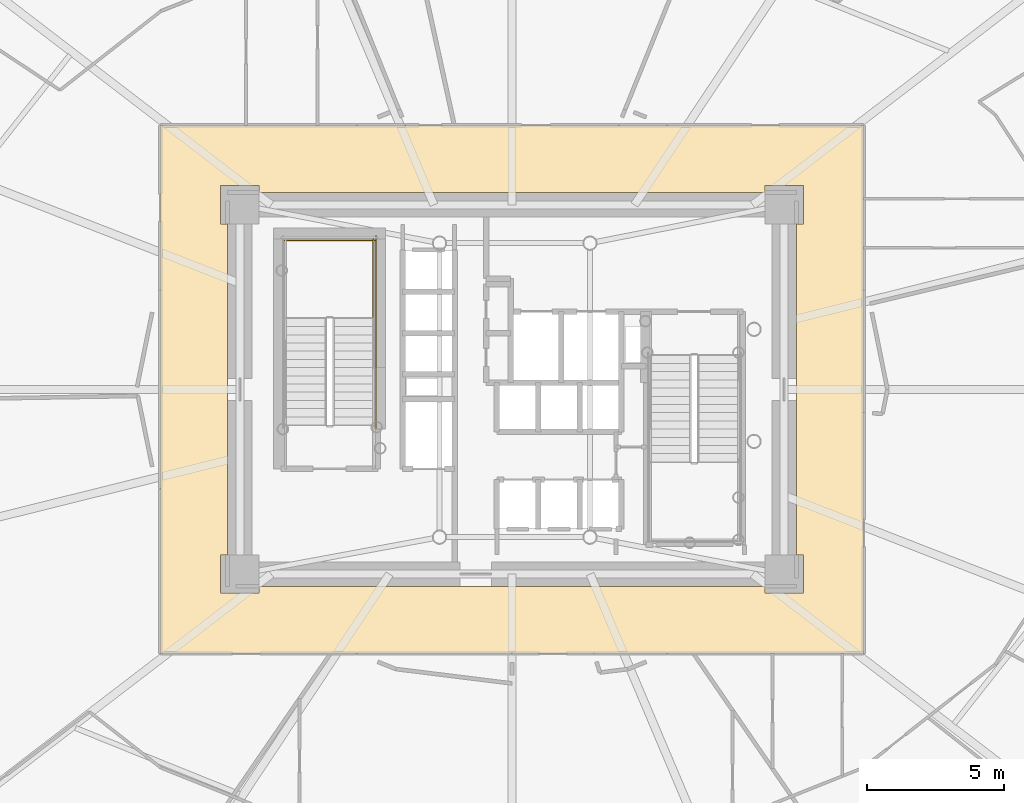
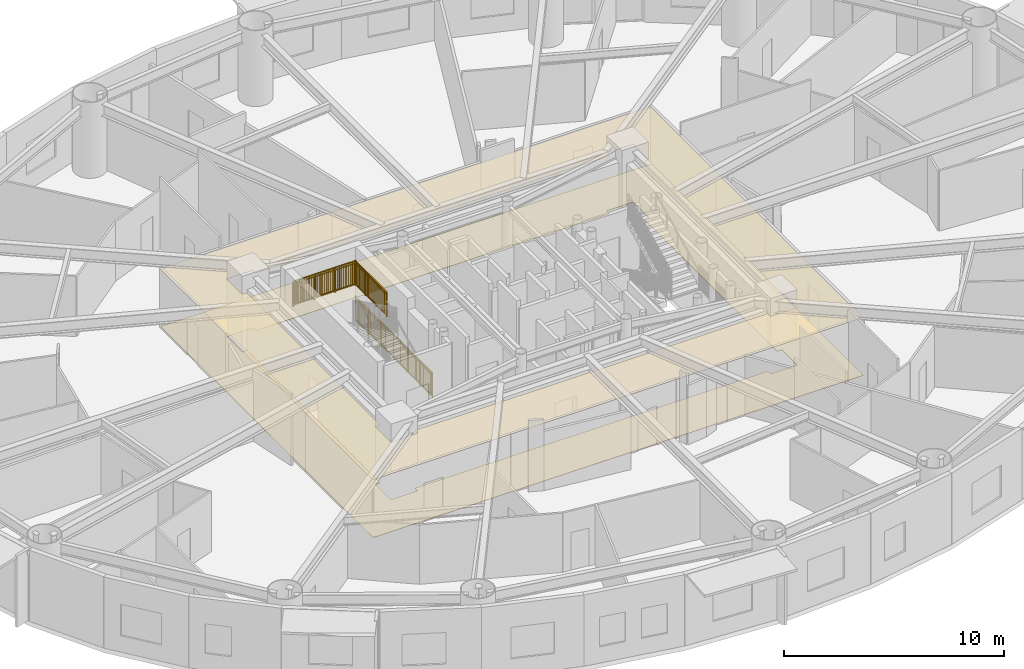
# One storey, part 17 of 21: 3 railings, 2 coverings.
"""IFC4 building model written with IfcOpenShell, lengths in metres."""

from ifc_helpers import new_model, si_unit, direction, frame, origin, origin_2d, place, context, subcontext, project, spatial, polyline, rectangle, outline, extrude, source, transform, mapped, material, layer, layer_set, type_object, element, save


model = new_model("IFC4")

# Units and contexts
model_context = context("Model", 3, precision=1e-05, world=origin(), true_north=direction((0.0, 1.0)))
body_context = subcontext(model_context, "Body", "Model", "MODEL_VIEW")
ifc_project = project(units=[si_unit("LENGTHUNIT", "METRE"), si_unit("AREAUNIT", "SQUARE_METRE"), si_unit("VOLUMEUNIT", "CUBIC_METRE"), si_unit("PLANEANGLEUNIT", "RADIAN"), si_unit("MASSUNIT", "GRAM", prefix="KILO")], contexts=[model_context])

# Site, building, storey
site_placement = place(None, origin())
site = spatial("IfcSite", under=ifc_project, at=site_placement, CompositionType="ELEMENT")
building_placement = place(site_placement, origin())
building = spatial("IfcBuilding", under=site, at=building_placement, Name="Linh Dai School and Residence Tower", CompositionType="ELEMENT")
storey_placement = place(building_placement, frame((0.0, 0.0, 78.60009765625)))
storey = spatial("IfcBuildingStorey", under=building, at=storey_placement, Name="L18", CompositionType="ELEMENT", Elevation=78.60009765625)

# Coverings
ifc_material_1 = material(Name="Mineral Fibre Acoustic Suspended Ceiling", Category="masonry")
ifc_layer_1 = layer(ifc_material_1, 0.02001953125)
ifc_layer_set_1 = layer_set([ifc_layer_1], Name="Mineral Fibre Acoustic Suspended Ceiling")
covering_type_1 = type_object("IfcCoveringType", Name="COV-CEIL-AC-20", PredefinedType="CEILING", material=ifc_layer_set_1)
covering_1_placement = place(storey_placement, frame((0.0, 0.0, 3.199951171875)))
element("IfcCovering", 1, at=covering_1_placement, inside=storey, type_object=covering_type_1, Name="L18 Residential Floor Corridor Suspended Ceiling", PredefinedType="CEILING", context=body_context, shape_type="SweptSolid", body=[
    extrude(outline(polyline([(48.85009765625, 36.64990234375), (48.85009765625, 17.35009765625), (23.14990234375, 17.35009765625), (23.14990234375, 36.64990234375), (48.85009765625, 36.64990234375)]), holes=[polyline([(26.75, 34.199951171875), (26.75, 34.449951171875), (25.35009765625, 34.449951171875), (25.35009765625, 33.050048828125), (25.60009765625, 33.050048828125), (25.60009765625, 20.949951171875), (25.35009765625, 20.949951171875), (25.35009765625, 19.550048828125), (26.75, 19.550048828125), (26.75, 19.800048828125), (45.25, 19.800048828125), (45.25, 19.550048828125), (46.64990234375, 19.550048828125), (46.64990234375, 20.949951171875), (46.39990234375, 20.949951171875), (46.39990234375, 33.050048828125), (46.64990234375, 33.050048828125), (46.64990234375, 34.449951171875), (45.25, 34.449951171875), (45.25, 34.199951171875), (26.75, 34.199951171875)])]), origin(), (0.0, 0.0, 1.0), 0.02001953125),
])
ifc_material_2 = material(Name="Polished Terrazzo Floor Finish", Category="masonry")
ifc_layer_2 = layer(ifc_material_2, 0.02490234375)
ifc_layer_set_2 = layer_set([ifc_layer_2], Name="Polished Terrazzo Floor Finish")
covering_type_2 = type_object("IfcCoveringType", Name="COV-FLR-TRZ-25", PredefinedType="FLOORING", material=ifc_layer_set_2)
covering_2_placement = place(storey_placement, origin())
element("IfcCovering", 2, at=covering_2_placement, inside=storey, type_object=covering_type_2, Name="L18 Residential Floor Corridor Floor Finish", PredefinedType="FLOORING", context=body_context, shape_type="SweptSolid", body=[
    extrude(outline(polyline([(48.85009765625, 36.64990234375), (48.85009765625, 17.35009765625), (23.14990234375, 17.35009765625), (23.14990234375, 36.64990234375), (48.85009765625, 36.64990234375)]), holes=[polyline([(26.75, 34.199951171875), (26.75, 34.449951171875), (25.35009765625, 34.449951171875), (25.35009765625, 33.050048828125), (25.60009765625, 33.050048828125), (25.60009765625, 20.949951171875), (25.35009765625, 20.949951171875), (25.35009765625, 19.550048828125), (26.75, 19.550048828125), (26.75, 19.800048828125), (45.25, 19.800048828125), (45.25, 19.550048828125), (46.64990234375, 19.550048828125), (46.64990234375, 20.949951171875), (46.39990234375, 20.949951171875), (46.39990234375, 33.050048828125), (46.64990234375, 33.050048828125), (46.64990234375, 34.449951171875), (45.25, 34.449951171875), (45.25, 34.199951171875), (26.75, 34.199951171875)])]), origin(), (0.0, 0.0, 1.0), 0.02001953125),
])

# Railings
ifc_material_3 = material(Name="Structural Steel S355JR", Category="steel")
railing_type = type_object("IfcRailingType", Name="RL-ST-GUARD-1400", PredefinedType="GUARDRAIL", material=ifc_material_3)
shared_shape_1 = source(origin(), body_context, "Body", "SweptSolid", [
    extrude(rectangle(XDim=0.048095703125, YDim=0.048095703125, at=origin_2d()), frame((0.0, 0.0, 1.3759765625), z_axis=(-1.0, 0.0, 0.0), x_axis=(0.0, -1.0, 0.0)), (0.0, 0.0, 1.0), 3.300048828125),
    extrude(rectangle(XDim=0.048095703125, YDim=0.048095703125, at=origin_2d()), frame((0.0, 0.0, 0.10009765625), z_axis=(-1.0, 0.0, 0.0), x_axis=(0.0, -1.0, 0.0)), (0.0, 0.0, 1.0), 3.300048828125),
    extrude(rectangle(XDim=0.030029296875, YDim=0.030029296875, at=origin_2d()), frame((0.0, 0.0, 1.239990234375), z_axis=(-1.0, 0.0, 0.0), x_axis=(0.0, -1.0, 0.0)), (0.0, 0.0, 1.0), 3.300048828125),
    extrude(rectangle(XDim=0.02001953125, YDim=0.02001953125, at=origin_2d()), frame((-0.09716796875, 0.0, 0.10009765625)), (0.0, 0.0, 1.0), 1.251708984375),
    extrude(rectangle(XDim=0.02001953125, YDim=0.02001953125, at=origin_2d()), frame((-0.194091796875, 0.0, 0.10009765625)), (0.0, 0.0, 1.0), 1.251708984375),
    extrude(rectangle(XDim=0.02001953125, YDim=0.02001953125, at=origin_2d()), frame((-0.291259765625, 0.0, 0.10009765625)), (0.0, 0.0, 1.0), 1.251708984375),
    extrude(rectangle(XDim=0.02001953125, YDim=0.02001953125, at=origin_2d()), frame((-0.38818359375, 0.0, 0.10009765625)), (0.0, 0.0, 1.0), 1.251708984375),
    extrude(rectangle(XDim=0.02001953125, YDim=0.02001953125, at=origin_2d()), frame((-0.4853515625, 0.0, 0.10009765625)), (0.0, 0.0, 1.0), 1.251708984375),
    extrude(rectangle(XDim=0.02001953125, YDim=0.02001953125, at=origin_2d()), frame((-0.582275390625, 0.0, 0.10009765625)), (0.0, 0.0, 1.0), 1.251708984375),
    extrude(rectangle(XDim=0.02001953125, YDim=0.02001953125, at=origin_2d()), frame((-0.679443359375, 0.0, 0.10009765625)), (0.0, 0.0, 1.0), 1.251708984375),
    extrude(rectangle(XDim=0.02001953125, YDim=0.02001953125, at=origin_2d()), frame((-0.7763671875, 0.0, 0.10009765625)), (0.0, 0.0, 1.0), 1.251708984375),
    extrude(rectangle(XDim=0.02001953125, YDim=0.02001953125, at=origin_2d()), frame((-0.87353515625, 0.0, 0.10009765625)), (0.0, 0.0, 1.0), 1.251708984375),
    extrude(rectangle(XDim=0.02001953125, YDim=0.02001953125, at=origin_2d()), frame((-0.970703125, 0.0, 0.10009765625)), (0.0, 0.0, 1.0), 1.251708984375),
    extrude(rectangle(XDim=0.02001953125, YDim=0.02001953125, at=origin_2d()), frame((-1.164794921875, 0.0, 0.10009765625)), (0.0, 0.0, 1.0), 1.251708984375),
    extrude(rectangle(XDim=0.02001953125, YDim=0.02001953125, at=origin_2d()), frame((-1.26171875, 0.0, 0.10009765625)), (0.0, 0.0, 1.0), 1.251708984375),
    extrude(rectangle(XDim=0.02001953125, YDim=0.02001953125, at=origin_2d()), frame((-1.35888671875, 0.0, 0.10009765625)), (0.0, 0.0, 1.0), 1.251708984375),
    extrude(rectangle(XDim=0.02001953125, YDim=0.02001953125, at=origin_2d()), frame((-1.455810546875, 0.0, 0.10009765625)), (0.0, 0.0, 1.0), 1.251708984375),
    extrude(rectangle(XDim=0.02001953125, YDim=0.02001953125, at=origin_2d()), frame((-1.552978515625, 0.0, 0.10009765625)), (0.0, 0.0, 1.0), 1.251708984375),
    extrude(rectangle(XDim=0.02001953125, YDim=0.02001953125, at=origin_2d()), frame((-1.64990234375, 0.0, 0.10009765625)), (0.0, 0.0, 1.0), 1.251708984375),
    extrude(rectangle(XDim=0.02001953125, YDim=0.02001953125, at=origin_2d()), frame((-1.7470703125, 0.0, 0.10009765625)), (0.0, 0.0, 1.0), 1.251708984375),
    extrude(rectangle(XDim=0.02001953125, YDim=0.02001953125, at=origin_2d()), frame((-1.84423828125, 0.0, 0.10009765625)), (0.0, 0.0, 1.0), 1.251708984375),
    extrude(rectangle(XDim=0.02001953125, YDim=0.02001953125, at=origin_2d()), frame((-1.941162109375, 0.0, 0.10009765625)), (0.0, 0.0, 1.0), 1.251708984375),
    extrude(rectangle(XDim=0.02001953125, YDim=0.02001953125, at=origin_2d()), frame((-2.038330078125, 0.0, 0.10009765625)), (0.0, 0.0, 1.0), 1.251708984375),
    extrude(rectangle(XDim=0.02001953125, YDim=0.02001953125, at=origin_2d()), frame((-2.13525390625, 0.0, 0.10009765625)), (0.0, 0.0, 1.0), 1.251708984375),
    extrude(rectangle(XDim=0.02001953125, YDim=0.02001953125, at=origin_2d()), frame((-2.329345703125, 0.0, 0.10009765625)), (0.0, 0.0, 1.0), 1.251708984375),
    extrude(rectangle(XDim=0.02001953125, YDim=0.02001953125, at=origin_2d()), frame((-2.426513671875, 0.0, 0.10009765625)), (0.0, 0.0, 1.0), 1.251708984375),
    extrude(rectangle(XDim=0.02001953125, YDim=0.02001953125, at=origin_2d()), frame((-2.523681640625, 0.0, 0.10009765625)), (0.0, 0.0, 1.0), 1.251708984375),
    extrude(rectangle(XDim=0.02001953125, YDim=0.02001953125, at=origin_2d()), frame((-2.62060546875, 0.0, 0.10009765625)), (0.0, 0.0, 1.0), 1.251708984375),
    extrude(rectangle(XDim=0.02001953125, YDim=0.02001953125, at=origin_2d()), frame((-2.7177734375, 0.0, 0.10009765625)), (0.0, 0.0, 1.0), 1.251708984375),
    extrude(rectangle(XDim=0.02001953125, YDim=0.02001953125, at=origin_2d()), frame((-2.814697265625, 0.0, 0.10009765625)), (0.0, 0.0, 1.0), 1.251708984375),
    extrude(rectangle(XDim=0.02001953125, YDim=0.02001953125, at=origin_2d()), frame((-2.911865234375, 0.0, 0.10009765625)), (0.0, 0.0, 1.0), 1.251708984375),
    extrude(rectangle(XDim=0.02001953125, YDim=0.02001953125, at=origin_2d()), frame((-3.0087890625, 0.0, 0.10009765625)), (0.0, 0.0, 1.0), 1.251708984375),
    extrude(rectangle(XDim=0.02001953125, YDim=0.02001953125, at=origin_2d()), frame((-3.10595703125, 0.0, 0.10009765625)), (0.0, 0.0, 1.0), 1.251708984375),
    extrude(rectangle(XDim=0.02001953125, YDim=0.02001953125, at=origin_2d()), frame((-3.202880859375, 0.0, 0.10009765625)), (0.0, 0.0, 1.0), 1.251708984375),
    extrude(rectangle(XDim=0.0419921875, YDim=0.0419921875, at=origin_2d()), origin(), (0.0, 0.0, 1.0), 1.3759765625),
    extrude(rectangle(XDim=0.0419921875, YDim=0.0419921875, at=origin_2d()), frame((-1.10009765625, 0.0, 0.0)), (0.0, 0.0, 1.0), 1.3759765625),
    extrude(rectangle(XDim=0.0419921875, YDim=0.0419921875, at=origin_2d()), frame((-2.199951171875, 0.0, 0.0)), (0.0, 0.0, 1.0), 1.3759765625),
    extrude(rectangle(XDim=0.0419921875, YDim=0.0419921875, at=origin_2d()), frame((-3.300048828125, 0.0, 0.0)), (0.0, 0.0, 1.0), 1.3759765625),
])
railing_1_placement = place(storey_placement, frame((30.97998046875, 32.449951171875, 2.099853515625)))
element("IfcRailing", 3, at=railing_1_placement, inside=storey, type_object=railing_type, Name="L18 ST1 stair guard 5", PredefinedType="GUARDRAIL", context=body_context, shape_type="MappedRepresentation", body=[
    mapped(shared_shape_1, transform((0.0, 0.0, 0.0), x_axis=(1.0, 0.0, 0.0), y_axis=(0.0, 1.0, 0.0), z_axis=(0.0, 0.0, 1.0), scale=1.0)),
])
shared_shape_2 = source(origin(), body_context, "Body", "SweptSolid", [
    extrude(rectangle(XDim=0.048095703125, YDim=0.048095703125, at=origin_2d()), frame((0.0, 0.0, 1.3759765625), z_axis=(0.0, 1.0, 0.0), x_axis=(-1.0, 0.0, 0.0)), (0.0, 0.0, 1.0), 7.0),
    extrude(rectangle(XDim=0.048095703125, YDim=0.048095703125, at=origin_2d()), frame((0.0, 0.0, 0.10009765625), z_axis=(0.0, 1.0, 0.0), x_axis=(-1.0, 0.0, 0.0)), (0.0, 0.0, 1.0), 7.0),
    extrude(rectangle(XDim=0.030029296875, YDim=0.030029296875, at=origin_2d()), frame((0.0, 0.0, 1.239990234375), z_axis=(0.0, 1.0, 0.0), x_axis=(-1.0, 0.0, 0.0)), (0.0, 0.0, 1.0), 7.0),
    extrude(rectangle(XDim=0.02001953125, YDim=0.02001953125, at=origin_2d()), frame((0.0, 0.09716796875, 0.10009765625)), (0.0, 0.0, 1.0), 1.251708984375),
    extrude(rectangle(XDim=0.02001953125, YDim=0.02001953125, at=origin_2d()), frame((0.0, 0.1943359375, 0.10009765625)), (0.0, 0.0, 1.0), 1.251708984375),
    extrude(rectangle(XDim=0.02001953125, YDim=0.02001953125, at=origin_2d()), frame((0.0, 0.291748046875, 0.10009765625)), (0.0, 0.0, 1.0), 1.251708984375),
    extrude(rectangle(XDim=0.02001953125, YDim=0.02001953125, at=origin_2d()), frame((0.0, 0.388916015625, 0.10009765625)), (0.0, 0.0, 1.0), 1.251708984375),
    extrude(rectangle(XDim=0.02001953125, YDim=0.02001953125, at=origin_2d()), frame((0.0, 0.486083984375, 0.10009765625)), (0.0, 0.0, 1.0), 1.251708984375),
    extrude(rectangle(XDim=0.02001953125, YDim=0.02001953125, at=origin_2d()), frame((0.0, 0.583251953125, 0.10009765625)), (0.0, 0.0, 1.0), 1.251708984375),
    extrude(rectangle(XDim=0.02001953125, YDim=0.02001953125, at=origin_2d()), frame((0.0, 0.6806640625, 0.10009765625)), (0.0, 0.0, 1.0), 1.251708984375),
    extrude(rectangle(XDim=0.02001953125, YDim=0.02001953125, at=origin_2d()), frame((0.0, 0.77783203125, 0.10009765625)), (0.0, 0.0, 1.0), 1.251708984375),
    extrude(rectangle(XDim=0.02001953125, YDim=0.02001953125, at=origin_2d()), frame((0.0, 0.875, 0.10009765625)), (0.0, 0.0, 1.0), 1.251708984375),
    extrude(rectangle(XDim=0.02001953125, YDim=0.02001953125, at=origin_2d()), frame((0.0, 0.97216796875, 0.10009765625)), (0.0, 0.0, 1.0), 1.251708984375),
    extrude(rectangle(XDim=0.02001953125, YDim=0.02001953125, at=origin_2d()), frame((0.0, 1.0693359375, 0.10009765625)), (0.0, 0.0, 1.0), 1.251708984375),
    extrude(rectangle(XDim=0.02001953125, YDim=0.02001953125, at=origin_2d()), frame((0.0, 1.263916015625, 0.10009765625)), (0.0, 0.0, 1.0), 1.251708984375),
    extrude(rectangle(XDim=0.02001953125, YDim=0.02001953125, at=origin_2d()), frame((0.0, 1.361083984375, 0.10009765625)), (0.0, 0.0, 1.0), 1.251708984375),
    extrude(rectangle(XDim=0.02001953125, YDim=0.02001953125, at=origin_2d()), frame((0.0, 1.458251953125, 0.10009765625)), (0.0, 0.0, 1.0), 1.251708984375),
    extrude(rectangle(XDim=0.02001953125, YDim=0.02001953125, at=origin_2d()), frame((0.0, 1.5556640625, 0.10009765625)), (0.0, 0.0, 1.0), 1.251708984375),
    extrude(rectangle(XDim=0.02001953125, YDim=0.02001953125, at=origin_2d()), frame((0.0, 1.65283203125, 0.10009765625)), (0.0, 0.0, 1.0), 1.251708984375),
    extrude(rectangle(XDim=0.02001953125, YDim=0.02001953125, at=origin_2d()), frame((0.0, 1.75, 0.10009765625)), (0.0, 0.0, 1.0), 1.251708984375),
    extrude(rectangle(XDim=0.02001953125, YDim=0.02001953125, at=origin_2d()), frame((0.0, 1.84716796875, 0.10009765625)), (0.0, 0.0, 1.0), 1.251708984375),
    extrude(rectangle(XDim=0.02001953125, YDim=0.02001953125, at=origin_2d()), frame((0.0, 1.9443359375, 0.10009765625)), (0.0, 0.0, 1.0), 1.251708984375),
    extrude(rectangle(XDim=0.02001953125, YDim=0.02001953125, at=origin_2d()), frame((0.0, 2.041748046875, 0.10009765625)), (0.0, 0.0, 1.0), 1.251708984375),
    extrude(rectangle(XDim=0.02001953125, YDim=0.02001953125, at=origin_2d()), frame((0.0, 2.138916015625, 0.10009765625)), (0.0, 0.0, 1.0), 1.251708984375),
    extrude(rectangle(XDim=0.02001953125, YDim=0.02001953125, at=origin_2d()), frame((0.0, 2.236083984375, 0.10009765625)), (0.0, 0.0, 1.0), 1.251708984375),
    extrude(rectangle(XDim=0.02001953125, YDim=0.02001953125, at=origin_2d()), frame((0.0, 2.4306640625, 0.10009765625)), (0.0, 0.0, 1.0), 1.251708984375),
    extrude(rectangle(XDim=0.02001953125, YDim=0.02001953125, at=origin_2d()), frame((0.0, 2.52783203125, 0.10009765625)), (0.0, 0.0, 1.0), 1.251708984375),
    extrude(rectangle(XDim=0.02001953125, YDim=0.02001953125, at=origin_2d()), frame((0.0, 2.625, 0.10009765625)), (0.0, 0.0, 1.0), 1.251708984375),
    extrude(rectangle(XDim=0.02001953125, YDim=0.02001953125, at=origin_2d()), frame((0.0, 2.72216796875, 0.10009765625)), (0.0, 0.0, 1.0), 1.251708984375),
    extrude(rectangle(XDim=0.02001953125, YDim=0.02001953125, at=origin_2d()), frame((0.0, 2.8193359375, 0.10009765625)), (0.0, 0.0, 1.0), 1.251708984375),
    extrude(rectangle(XDim=0.02001953125, YDim=0.02001953125, at=origin_2d()), frame((0.0, 2.916748046875, 0.10009765625)), (0.0, 0.0, 1.0), 1.251708984375),
    extrude(rectangle(XDim=0.02001953125, YDim=0.02001953125, at=origin_2d()), frame((0.0, 3.013916015625, 0.10009765625)), (0.0, 0.0, 1.0), 1.251708984375),
    extrude(rectangle(XDim=0.02001953125, YDim=0.02001953125, at=origin_2d()), frame((0.0, 3.111083984375, 0.10009765625)), (0.0, 0.0, 1.0), 1.251708984375),
    extrude(rectangle(XDim=0.02001953125, YDim=0.02001953125, at=origin_2d()), frame((0.0, 3.208251953125, 0.10009765625)), (0.0, 0.0, 1.0), 1.251708984375),
    extrude(rectangle(XDim=0.02001953125, YDim=0.02001953125, at=origin_2d()), frame((0.0, 3.3056640625, 0.10009765625)), (0.0, 0.0, 1.0), 1.251708984375),
    extrude(rectangle(XDim=0.02001953125, YDim=0.02001953125, at=origin_2d()), frame((0.0, 3.40283203125, 0.10009765625)), (0.0, 0.0, 1.0), 1.251708984375),
    extrude(rectangle(XDim=0.02001953125, YDim=0.02001953125, at=origin_2d()), frame((0.0, 3.59716796875, 0.10009765625)), (0.0, 0.0, 1.0), 1.251708984375),
    extrude(rectangle(XDim=0.02001953125, YDim=0.02001953125, at=origin_2d()), frame((0.0, 3.6943359375, 0.10009765625)), (0.0, 0.0, 1.0), 1.251708984375),
    extrude(rectangle(XDim=0.02001953125, YDim=0.02001953125, at=origin_2d()), frame((0.0, 3.791748046875, 0.10009765625)), (0.0, 0.0, 1.0), 1.251708984375),
    extrude(rectangle(XDim=0.02001953125, YDim=0.02001953125, at=origin_2d()), frame((0.0, 3.888916015625, 0.10009765625)), (0.0, 0.0, 1.0), 1.251708984375),
    extrude(rectangle(XDim=0.02001953125, YDim=0.02001953125, at=origin_2d()), frame((0.0, 3.986083984375, 0.10009765625)), (0.0, 0.0, 1.0), 1.251708984375),
    extrude(rectangle(XDim=0.02001953125, YDim=0.02001953125, at=origin_2d()), frame((0.0, 4.083251953125, 0.10009765625)), (0.0, 0.0, 1.0), 1.251708984375),
    extrude(rectangle(XDim=0.02001953125, YDim=0.02001953125, at=origin_2d()), frame((0.0, 4.1806640625, 0.10009765625)), (0.0, 0.0, 1.0), 1.251708984375),
    extrude(rectangle(XDim=0.02001953125, YDim=0.02001953125, at=origin_2d()), frame((0.0, 4.27783203125, 0.10009765625)), (0.0, 0.0, 1.0), 1.251708984375),
    extrude(rectangle(XDim=0.02001953125, YDim=0.02001953125, at=origin_2d()), frame((0.0, 4.375, 0.10009765625)), (0.0, 0.0, 1.0), 1.251708984375),
    extrude(rectangle(XDim=0.02001953125, YDim=0.02001953125, at=origin_2d()), frame((0.0, 4.47216796875, 0.10009765625)), (0.0, 0.0, 1.0), 1.251708984375),
    extrude(rectangle(XDim=0.02001953125, YDim=0.02001953125, at=origin_2d()), frame((0.0, 4.5693359375, 0.10009765625)), (0.0, 0.0, 1.0), 1.251708984375),
    extrude(rectangle(XDim=0.02001953125, YDim=0.02001953125, at=origin_2d()), frame((0.0, 4.763916015625, 0.10009765625)), (0.0, 0.0, 1.0), 1.251708984375),
    extrude(rectangle(XDim=0.02001953125, YDim=0.02001953125, at=origin_2d()), frame((0.0, 4.861083984375, 0.10009765625)), (0.0, 0.0, 1.0), 1.251708984375),
    extrude(rectangle(XDim=0.02001953125, YDim=0.02001953125, at=origin_2d()), frame((0.0, 4.958251953125, 0.10009765625)), (0.0, 0.0, 1.0), 1.251708984375),
    extrude(rectangle(XDim=0.02001953125, YDim=0.02001953125, at=origin_2d()), frame((0.0, 5.0556640625, 0.10009765625)), (0.0, 0.0, 1.0), 1.251708984375),
    extrude(rectangle(XDim=0.02001953125, YDim=0.02001953125, at=origin_2d()), frame((0.0, 5.15283203125, 0.10009765625)), (0.0, 0.0, 1.0), 1.251708984375),
    extrude(rectangle(XDim=0.02001953125, YDim=0.02001953125, at=origin_2d()), frame((0.0, 5.25, 0.10009765625)), (0.0, 0.0, 1.0), 1.251708984375),
    extrude(rectangle(XDim=0.02001953125, YDim=0.02001953125, at=origin_2d()), frame((0.0, 5.34716796875, 0.10009765625)), (0.0, 0.0, 1.0), 1.251708984375),
    extrude(rectangle(XDim=0.02001953125, YDim=0.02001953125, at=origin_2d()), frame((0.0, 5.4443359375, 0.10009765625)), (0.0, 0.0, 1.0), 1.251708984375),
    extrude(rectangle(XDim=0.02001953125, YDim=0.02001953125, at=origin_2d()), frame((0.0, 5.541748046875, 0.10009765625)), (0.0, 0.0, 1.0), 1.251708984375),
    extrude(rectangle(XDim=0.02001953125, YDim=0.02001953125, at=origin_2d()), frame((0.0, 5.638916015625, 0.10009765625)), (0.0, 0.0, 1.0), 1.251708984375),
    extrude(rectangle(XDim=0.02001953125, YDim=0.02001953125, at=origin_2d()), frame((0.0, 5.736083984375, 0.10009765625)), (0.0, 0.0, 1.0), 1.251708984375),
    extrude(rectangle(XDim=0.02001953125, YDim=0.02001953125, at=origin_2d()), frame((0.0, 5.9306640625, 0.10009765625)), (0.0, 0.0, 1.0), 1.251708984375),
    extrude(rectangle(XDim=0.02001953125, YDim=0.02001953125, at=origin_2d()), frame((0.0, 6.02783203125, 0.10009765625)), (0.0, 0.0, 1.0), 1.251708984375),
    extrude(rectangle(XDim=0.02001953125, YDim=0.02001953125, at=origin_2d()), frame((0.0, 6.125, 0.10009765625)), (0.0, 0.0, 1.0), 1.251708984375),
    extrude(rectangle(XDim=0.02001953125, YDim=0.02001953125, at=origin_2d()), frame((0.0, 6.22216796875, 0.10009765625)), (0.0, 0.0, 1.0), 1.251708984375),
    extrude(rectangle(XDim=0.02001953125, YDim=0.02001953125, at=origin_2d()), frame((0.0, 6.3193359375, 0.10009765625)), (0.0, 0.0, 1.0), 1.251708984375),
    extrude(rectangle(XDim=0.02001953125, YDim=0.02001953125, at=origin_2d()), frame((0.0, 6.416748046875, 0.10009765625)), (0.0, 0.0, 1.0), 1.251708984375),
    extrude(rectangle(XDim=0.02001953125, YDim=0.02001953125, at=origin_2d()), frame((0.0, 6.513916015625, 0.10009765625)), (0.0, 0.0, 1.0), 1.251708984375),
    extrude(rectangle(XDim=0.02001953125, YDim=0.02001953125, at=origin_2d()), frame((0.0, 6.611083984375, 0.10009765625)), (0.0, 0.0, 1.0), 1.251708984375),
    extrude(rectangle(XDim=0.02001953125, YDim=0.02001953125, at=origin_2d()), frame((0.0, 6.708251953125, 0.10009765625)), (0.0, 0.0, 1.0), 1.251708984375),
    extrude(rectangle(XDim=0.02001953125, YDim=0.02001953125, at=origin_2d()), frame((0.0, 6.8056640625, 0.10009765625)), (0.0, 0.0, 1.0), 1.251708984375),
    extrude(rectangle(XDim=0.02001953125, YDim=0.02001953125, at=origin_2d()), frame((0.0, 6.90283203125, 0.10009765625)), (0.0, 0.0, 1.0), 1.251708984375),
    extrude(rectangle(XDim=0.0419921875, YDim=0.0419921875, at=origin_2d()), origin(), (0.0, 0.0, 1.0), 1.3759765625),
    extrude(rectangle(XDim=0.0419921875, YDim=0.0419921875, at=origin_2d()), frame((0.0, 1.166748046875, 0.0)), (0.0, 0.0, 1.0), 1.3759765625),
    extrude(rectangle(XDim=0.0419921875, YDim=0.0419921875, at=origin_2d()), frame((0.0, 2.333251953125, 0.0)), (0.0, 0.0, 1.0), 1.3759765625),
    extrude(rectangle(XDim=0.0419921875, YDim=0.0419921875, at=origin_2d()), frame((0.0, 3.5, 0.0)), (0.0, 0.0, 1.0), 1.3759765625),
    extrude(rectangle(XDim=0.0419921875, YDim=0.0419921875, at=origin_2d()), frame((0.0, 4.666748046875, 0.0)), (0.0, 0.0, 1.0), 1.3759765625),
    extrude(rectangle(XDim=0.0419921875, YDim=0.0419921875, at=origin_2d()), frame((0.0, 5.833251953125, 0.0)), (0.0, 0.0, 1.0), 1.3759765625),
    extrude(rectangle(XDim=0.0419921875, YDim=0.0419921875, at=origin_2d()), frame((0.0, 7.0, 0.0)), (0.0, 0.0, 1.0), 1.3759765625),
])
railing_2_placement = place(storey_placement, frame((31.030029296875, 25.60009765625, 0.0)))
element("IfcRailing", 4, at=railing_2_placement, inside=storey, type_object=railing_type, Name="L18 ST1 stair guard 10", PredefinedType="GUARDRAIL", context=body_context, shape_type="MappedRepresentation", body=[
    mapped(shared_shape_2, transform((0.0, 0.0, 0.0), x_axis=(1.0, 0.0, 0.0), y_axis=(0.0, 1.0, 0.0), z_axis=(0.0, 0.0, 1.0), scale=1.0)),
])
shared_shape_3 = source(origin(), body_context, "Body", "SweptSolid", [
    extrude(rectangle(XDim=0.048095703125, YDim=0.048095703125, at=origin_2d()), frame((0.0, 0.0, 1.3759765625), z_axis=(0.0, 1.0, 0.0), x_axis=(-1.0, 0.0, 0.0)), (0.0, 0.0, 1.0), 2.89990234375),
    extrude(rectangle(XDim=0.048095703125, YDim=0.048095703125, at=origin_2d()), frame((0.0, 0.0, 0.10009765625), z_axis=(0.0, 1.0, 0.0), x_axis=(-1.0, 0.0, 0.0)), (0.0, 0.0, 1.0), 2.89990234375),
    extrude(rectangle(XDim=0.030029296875, YDim=0.030029296875, at=origin_2d()), frame((0.0, 0.0, 1.239990234375), z_axis=(0.0, 1.0, 0.0), x_axis=(-1.0, 0.0, 0.0)), (0.0, 0.0, 1.0), 2.89990234375),
    extrude(rectangle(XDim=0.02001953125, YDim=0.02001953125, at=origin_2d()), frame((0.0, 0.0966796875, 0.10009765625)), (0.0, 0.0, 1.0), 1.251708984375),
    extrude(rectangle(XDim=0.02001953125, YDim=0.02001953125, at=origin_2d()), frame((0.0, 0.193359375, 0.10009765625)), (0.0, 0.0, 1.0), 1.251708984375),
    extrude(rectangle(XDim=0.02001953125, YDim=0.02001953125, at=origin_2d()), frame((0.0, 0.2900390625, 0.10009765625)), (0.0, 0.0, 1.0), 1.251708984375),
    extrude(rectangle(XDim=0.02001953125, YDim=0.02001953125, at=origin_2d()), frame((0.0, 0.38671875, 0.10009765625)), (0.0, 0.0, 1.0), 1.251708984375),
    extrude(rectangle(XDim=0.02001953125, YDim=0.02001953125, at=origin_2d()), frame((0.0, 0.4833984375, 0.10009765625)), (0.0, 0.0, 1.0), 1.251708984375),
    extrude(rectangle(XDim=0.02001953125, YDim=0.02001953125, at=origin_2d()), frame((0.0, 0.580078125, 0.10009765625)), (0.0, 0.0, 1.0), 1.251708984375),
    extrude(rectangle(XDim=0.02001953125, YDim=0.02001953125, at=origin_2d()), frame((0.0, 0.6767578125, 0.10009765625)), (0.0, 0.0, 1.0), 1.251708984375),
    extrude(rectangle(XDim=0.02001953125, YDim=0.02001953125, at=origin_2d()), frame((0.0, 0.773193359375, 0.10009765625)), (0.0, 0.0, 1.0), 1.251708984375),
    extrude(rectangle(XDim=0.02001953125, YDim=0.02001953125, at=origin_2d()), frame((0.0, 0.869873046875, 0.10009765625)), (0.0, 0.0, 1.0), 1.251708984375),
    extrude(rectangle(XDim=0.02001953125, YDim=0.02001953125, at=origin_2d()), frame((0.0, 1.063232421875, 0.10009765625)), (0.0, 0.0, 1.0), 1.251708984375),
    extrude(rectangle(XDim=0.02001953125, YDim=0.02001953125, at=origin_2d()), frame((0.0, 1.159912109375, 0.10009765625)), (0.0, 0.0, 1.0), 1.251708984375),
    extrude(rectangle(XDim=0.02001953125, YDim=0.02001953125, at=origin_2d()), frame((0.0, 1.256591796875, 0.10009765625)), (0.0, 0.0, 1.0), 1.251708984375),
    extrude(rectangle(XDim=0.02001953125, YDim=0.02001953125, at=origin_2d()), frame((0.0, 1.353271484375, 0.10009765625)), (0.0, 0.0, 1.0), 1.251708984375),
    extrude(rectangle(XDim=0.02001953125, YDim=0.02001953125, at=origin_2d()), frame((0.0, 1.449951171875, 0.10009765625)), (0.0, 0.0, 1.0), 1.251708984375),
    extrude(rectangle(XDim=0.02001953125, YDim=0.02001953125, at=origin_2d()), frame((0.0, 1.546630859375, 0.10009765625)), (0.0, 0.0, 1.0), 1.251708984375),
    extrude(rectangle(XDim=0.02001953125, YDim=0.02001953125, at=origin_2d()), frame((0.0, 1.643310546875, 0.10009765625)), (0.0, 0.0, 1.0), 1.251708984375),
    extrude(rectangle(XDim=0.02001953125, YDim=0.02001953125, at=origin_2d()), frame((0.0, 1.739990234375, 0.10009765625)), (0.0, 0.0, 1.0), 1.251708984375),
    extrude(rectangle(XDim=0.02001953125, YDim=0.02001953125, at=origin_2d()), frame((0.0, 1.836669921875, 0.10009765625)), (0.0, 0.0, 1.0), 1.251708984375),
    extrude(rectangle(XDim=0.02001953125, YDim=0.02001953125, at=origin_2d()), frame((0.0, 2.030029296875, 0.10009765625)), (0.0, 0.0, 1.0), 1.251708984375),
    extrude(rectangle(XDim=0.02001953125, YDim=0.02001953125, at=origin_2d()), frame((0.0, 2.126708984375, 0.10009765625)), (0.0, 0.0, 1.0), 1.251708984375),
    extrude(rectangle(XDim=0.02001953125, YDim=0.02001953125, at=origin_2d()), frame((0.0, 2.22314453125, 0.10009765625)), (0.0, 0.0, 1.0), 1.251708984375),
    extrude(rectangle(XDim=0.02001953125, YDim=0.02001953125, at=origin_2d()), frame((0.0, 2.31982421875, 0.10009765625)), (0.0, 0.0, 1.0), 1.251708984375),
    extrude(rectangle(XDim=0.02001953125, YDim=0.02001953125, at=origin_2d()), frame((0.0, 2.41650390625, 0.10009765625)), (0.0, 0.0, 1.0), 1.251708984375),
    extrude(rectangle(XDim=0.02001953125, YDim=0.02001953125, at=origin_2d()), frame((0.0, 2.51318359375, 0.10009765625)), (0.0, 0.0, 1.0), 1.251708984375),
    extrude(rectangle(XDim=0.02001953125, YDim=0.02001953125, at=origin_2d()), frame((0.0, 2.60986328125, 0.10009765625)), (0.0, 0.0, 1.0), 1.251708984375),
    extrude(rectangle(XDim=0.02001953125, YDim=0.02001953125, at=origin_2d()), frame((0.0, 2.70654296875, 0.10009765625)), (0.0, 0.0, 1.0), 1.251708984375),
    extrude(rectangle(XDim=0.02001953125, YDim=0.02001953125, at=origin_2d()), frame((0.0, 2.80322265625, 0.10009765625)), (0.0, 0.0, 1.0), 1.251708984375),
    extrude(rectangle(XDim=0.0419921875, YDim=0.0419921875, at=origin_2d()), origin(), (0.0, 0.0, 1.0), 1.3759765625),
    extrude(rectangle(XDim=0.0419921875, YDim=0.0419921875, at=origin_2d()), frame((0.0, 0.966552734375, 0.0)), (0.0, 0.0, 1.0), 1.3759765625),
    extrude(rectangle(XDim=0.0419921875, YDim=0.0419921875, at=origin_2d()), frame((0.0, 1.933349609375, 0.0)), (0.0, 0.0, 1.0), 1.3759765625),
    extrude(rectangle(XDim=0.0419921875, YDim=0.0419921875, at=origin_2d()), frame((0.0, 2.89990234375, 0.0)), (0.0, 0.0, 1.0), 1.3759765625),
])
railing_3_placement = place(storey_placement, frame((30.929931640625, 29.60009765625, 2.099853515625)))
element("IfcRailing", 5, at=railing_3_placement, inside=storey, type_object=railing_type, Name="L18 ST1 stair guard 3", PredefinedType="GUARDRAIL", context=body_context, shape_type="MappedRepresentation", body=[
    mapped(shared_shape_3, transform((0.0, 0.0, 0.0), x_axis=(1.0, 0.0, 0.0), y_axis=(0.0, 1.0, 0.0), z_axis=(0.0, 0.0, 1.0), scale=1.0)),
])

save(model, "model.ifc")
